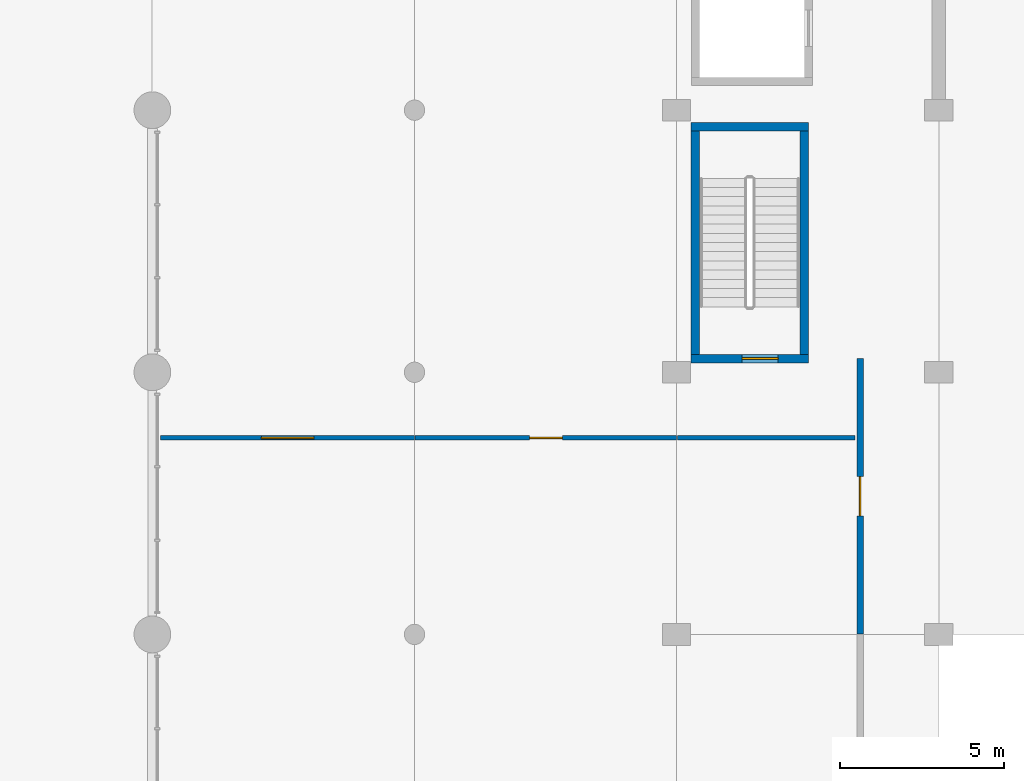
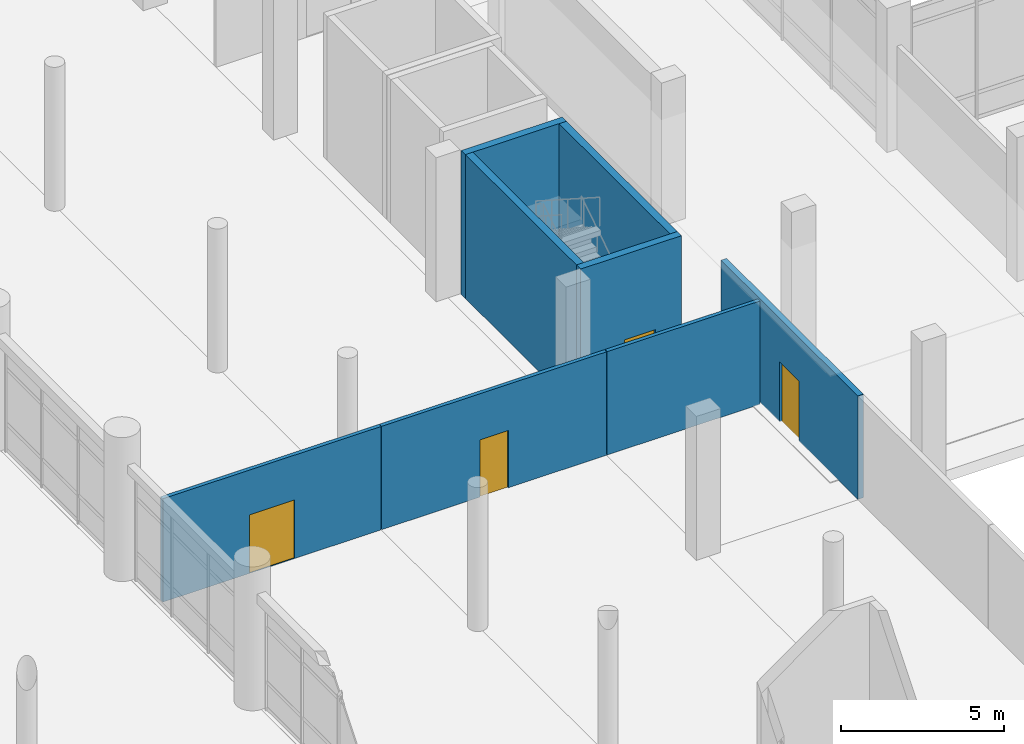
# One storey, part 24 of 42: 8 walls, 4 doors, 4 openings.
"""IFC4 building model written with IfcOpenShell, lengths in metres."""

from ifc_helpers import new_model, si_unit, direction, frame, frame_2d, origin, place, context, subcontext, project, spatial, rectangle, extrude, material, layer, layer_set, type_object, element, fill, save


model = new_model("IFC4")

# Units and contexts
model_context = context("Model", 3, precision=1e-05, world=origin(), true_north=direction((0.0, 1.0)))
body_context = subcontext(model_context, "Body", "Model", "MODEL_VIEW")
ifc_project = project(units=[si_unit("LENGTHUNIT", "METRE"), si_unit("AREAUNIT", "SQUARE_METRE"), si_unit("VOLUMEUNIT", "CUBIC_METRE"), si_unit("PLANEANGLEUNIT", "RADIAN"), si_unit("MASSUNIT", "GRAM", prefix="KILO")], contexts=[model_context])

# Site, building, storey
site_placement = place(None, origin())
site = spatial("IfcSite", under=ifc_project, at=site_placement, CompositionType="ELEMENT")
building_placement = place(site_placement, origin())
building = spatial("IfcBuilding", under=site, at=building_placement, Name="Pecanmere Concourse Central Library", CompositionType="ELEMENT")
storey_placement = place(building_placement, origin())
storey = spatial("IfcBuildingStorey", under=building, at=storey_placement, Name="L01", CompositionType="ELEMENT", Elevation=0.0)

# Wall, opening, door
ifc_material_1 = material(Name="Fire-rated gypsum board on acoustic steel stud", Category="steel")
ifc_layer_1 = layer(ifc_material_1, 0.135009765625, Name="IW_PART_135")
ifc_layer_set_1 = layer_set([ifc_layer_1], Name="Fire-rated gypsum board on acoustic steel stud")
wall_type_1 = type_object("IfcWallType", Name="IW_PART_135", PredefinedType="PARTITIONING", material=ifc_layer_set_1)
wall_1_placement = place(storey_placement, frame((96.25, 54.0, 0.0), z_axis=(0.0, 0.0, 1.0), x_axis=(1.0, 0.0, 0.0)))
wall_1 = element("IfcWall", 1, at=wall_1_placement, inside=storey, type_object=wall_type_1, Name="Interior Partition L01-0109", PredefinedType="PARTITIONING", context=body_context, shape_type="SweptSolid", body=[
    extrude(rectangle(XDim=7.75, YDim=0.135009765625, at=frame_2d((3.875, 0.0))), origin(), (0.0, 0.0, 1.0), 3.8798828125),
])
opening_1_placement = place(wall_1_placement, frame((3.074951171875, 0.0, 0.0)))
opening_1 = element("IfcOpeningElement", 2, at=opening_1_placement, cuts=wall_1, Name="Opening DT-02", PredefinedType="OPENING", context=body_context, shape_type="SweptSolid", body=[
    extrude(rectangle(XDim=1.60009765625, YDim=2.199951171875, at=frame_2d((0.800048828125, 1.10009765625))), frame((0.0, 0.07958984375, 0.0), z_axis=(0.0, -1.0, 0.0), x_axis=(1.0, 0.0, 0.0)), (0.0, 0.0, 1.0), 0.158935546875),
])
ifc_material_2 = material(Name="Solid white oak architectural joinery")
door_type_1 = type_object("IfcDoorType", Name="DT-02", OperationType="DOUBLE_DOOR_SINGLE_SWING", PredefinedType="DOOR", material=ifc_material_2)
door_1_placement = place(opening_1_placement, origin())
door_1 = element("IfcDoor", 3, at=door_1_placement, inside=storey, type_object=door_type_1, Name="D-174", OperationType="DOUBLE_DOOR_SINGLE_SWING", OverallHeight=2.199951171875, OverallWidth=1.60009765625, PredefinedType="DOOR", context=body_context, shape_type="SweptSolid", body=[
    extrude(rectangle(XDim=1.60009765625, YDim=2.199951171875, at=frame_2d((0.800048828125, 1.10009765625))), frame((0.0, 0.02490234375, 0.0), z_axis=(0.0, -1.0, 0.0), x_axis=(1.0, 0.0, 0.0)), (0.0, 0.0, 1.0), 0.050048828125),
])
fill(opening_1, door_1)

wall_2_placement = place(storey_placement, frame((104.02001953125, 54.0, 0.0), z_axis=(0.0, 0.0, 1.0), x_axis=(1.0, 0.0, 0.0)))
wall_2 = element("IfcWall", 4, at=wall_2_placement, inside=storey, type_object=wall_type_1, Name="Interior Partition L01-0110", PredefinedType="PARTITIONING", context=body_context, shape_type="SweptSolid", body=[
    extrude(rectangle(XDim=7.97998046875, YDim=0.135009765625, at=frame_2d((3.989990234375, 0.0))), origin(), (0.0, 0.0, 1.0), 3.8798828125),
])
opening_2_placement = place(wall_2_placement, frame((3.489990234375, 0.0, 0.0)))
opening_2 = element("IfcOpeningElement", 5, at=opening_2_placement, cuts=wall_2, Name="Opening DT-04", PredefinedType="OPENING", context=body_context, shape_type="SweptSolid", body=[
    extrude(rectangle(XDim=1.0, YDim=2.14990234375, at=frame_2d((0.5, 1.074951171875))), frame((0.0, 0.07958984375, 0.0), z_axis=(0.0, -1.0, 0.0), x_axis=(1.0, 0.0, 0.0)), (0.0, 0.0, 1.0), 0.158935546875),
])
ifc_material_3 = material(Name="Solid white oak architectural joinery")
door_type_2 = type_object("IfcDoorType", Name="DT-04", OperationType="SINGLE_SWING_RIGHT", PredefinedType="DOOR", material=ifc_material_3)
door_2_placement = place(opening_2_placement, frame((1.0, 0.0, 0.0), z_axis=(0.0, 0.0, 1.0), x_axis=(-1.0, 0.0, 0.0)))
door_2 = element("IfcDoor", 6, at=door_2_placement, inside=storey, type_object=door_type_2, Name="D-175", OperationType="SINGLE_SWING_RIGHT", OverallHeight=2.14990234375, OverallWidth=1.0, PredefinedType="DOOR", context=body_context, shape_type="SweptSolid", body=[
    extrude(rectangle(XDim=1.0, YDim=2.14990234375, at=frame_2d((0.5, 1.074951171875))), frame((0.0, 0.02490234375, 0.0), z_axis=(0.0, -1.0, 0.0), x_axis=(1.0, 0.0, 0.0)), (0.0, 0.0, 1.0), 0.050048828125),
])
fill(opening_2, door_2)

# Wall
wall_3_placement = place(storey_placement, frame((112.02001953125, 54.0, 0.0), z_axis=(0.0, 0.0, 1.0), x_axis=(1.0, 0.0, 0.0)))
element("IfcWall", 7, at=wall_3_placement, inside=storey, type_object=wall_type_1, Name="Interior Partition L01-0111", PredefinedType="PARTITIONING", context=body_context, shape_type="SweptSolid", body=[
    extrude(rectangle(XDim=5.429931640625, YDim=0.135009765625, at=frame_2d((2.71484375, 0.0))), origin(), (0.0, 0.0, 1.0), 3.8798828125),
])

# Wall, opening, door
ifc_material_4 = material(Name="Fire-rated gypsum board on acoustic steel stud", Category="steel")
ifc_layer_2 = layer(ifc_material_4, 0.199951171875, Name="IW_PART_200")
ifc_layer_set_2 = layer_set([ifc_layer_2], Name="Fire-rated gypsum board on acoustic steel stud")
wall_type_2 = type_object("IfcWallType", Name="IW_PART_200", PredefinedType="PARTITIONING", material=ifc_layer_set_2)
wall_4_placement = place(storey_placement, frame((117.60009765625, 48.02001953125, 0.0), z_axis=(0.0, 0.0, 1.0), x_axis=(0.0, 1.0, 0.0)))
wall_4 = element("IfcWall", 8, at=wall_4_placement, inside=storey, type_object=wall_type_2, Name="Interior Partition L01-0069", PredefinedType="PARTITIONING", context=body_context, shape_type="SweptSolid", body=[
    extrude(rectangle(XDim=8.39990234375, YDim=0.199951171875, at=frame_2d((4.199951171875, 0.0))), origin(), (0.0, 0.0, 1.0), 3.8798828125),
])
opening_3_placement = place(wall_4_placement, frame((3.60009765625, 0.0, 0.0)))
opening_3 = element("IfcOpeningElement", 9, at=opening_3_placement, cuts=wall_4, Name="Opening FD-04", PredefinedType="OPENING", context=body_context, shape_type="SweptSolid", body=[
    extrude(rectangle(XDim=1.199951171875, YDim=2.25, at=frame_2d((0.60009765625, 1.125))), frame((0.0, 0.11181640625, 0.0), z_axis=(0.0, -1.0, 0.0), x_axis=(1.0, 0.0, 0.0)), (0.0, 0.0, 1.0), 0.223876953125),
])
ifc_material_5 = material(Name="Painted architectural steel ASTM A36", Category="steel")
door_type_3 = type_object("IfcDoorType", Name="FD-04", OperationType="SINGLE_SWING_LEFT", PredefinedType="DOOR", material=ifc_material_5)
door_3_placement = place(opening_3_placement, origin())
door_3 = element("IfcDoor", 10, at=door_3_placement, inside=storey, type_object=door_type_3, Name="D-152", OperationType="SINGLE_SWING_LEFT", OverallHeight=2.25, OverallWidth=1.199951171875, PredefinedType="DOOR", context=body_context, shape_type="SweptSolid", body=[
    extrude(rectangle(XDim=1.199951171875, YDim=2.25, at=frame_2d((0.60009765625, 1.125))), frame((0.0, 0.02490234375, 0.0), z_axis=(0.0, -1.0, 0.0), x_axis=(1.0, 0.0, 0.0)), (0.0, 0.0, 1.0), 0.050048828125),
])
fill(opening_3, door_3)

ifc_material_6 = material(Name="Concrete C40/50", Category="concrete")
ifc_layer_3 = layer(ifc_material_6, 0.260009765625, Name="WALL_SLD_260")
ifc_layer_set_3 = layer_set([ifc_layer_3], Name="Concrete C40/50")
wall_type_3 = type_object("IfcWallType", Name="WALL_SLD_260", PredefinedType="SOLIDWALL", material=ifc_layer_set_3)
wall_5_placement = place(storey_placement, frame((112.43994140625, 56.419921875, 0.0), z_axis=(0.0, 0.0, 1.0), x_axis=(1.0, 0.0, 0.0)))
wall_5 = element("IfcWall", 11, at=wall_5_placement, inside=storey, type_object=wall_type_3, Name="Core C5 South Wall L01", PredefinedType="SOLIDWALL", context=body_context, shape_type="SweptSolid", body=[
    extrude(rectangle(XDim=3.580078125, YDim=0.260009765625, at=frame_2d((1.7900390625, 0.0))), origin(), (0.0, 0.0, 1.0), 5.39990234375),
])
opening_4_placement = place(wall_5_placement, frame((1.56005859375, 0.0, 0.0)))
opening_4 = element("IfcOpeningElement", 12, at=opening_4_placement, cuts=wall_5, Name="Opening FD-01", PredefinedType="OPENING", context=body_context, shape_type="SweptSolid", body=[
    extrude(rectangle(XDim=1.10009765625, YDim=2.199951171875, at=frame_2d((0.550048828125, 1.10009765625))), frame((0.0, 0.14208984375, 0.0), z_axis=(0.0, -1.0, 0.0), x_axis=(1.0, 0.0, 0.0)), (0.0, 0.0, 1.0), 0.283935546875),
])
ifc_material_7 = material(Name="Painted architectural steel ASTM A36", Category="steel")
door_type_4 = type_object("IfcDoorType", Name="FD-01", OperationType="SINGLE_SWING_LEFT", PredefinedType="DOOR", material=ifc_material_7)
door_4_placement = place(opening_4_placement, frame((1.10009765625, 0.0, 0.0), z_axis=(0.0, 0.0, 1.0), x_axis=(-1.0, 0.0, 0.0)))
door_4 = element("IfcDoor", 13, at=door_4_placement, inside=storey, type_object=door_type_4, Name="D-034", OperationType="SINGLE_SWING_LEFT", OverallHeight=2.199951171875, OverallWidth=1.10009765625, PredefinedType="DOOR", context=body_context, shape_type="SweptSolid", body=[
    extrude(rectangle(XDim=1.10009765625, YDim=2.199951171875, at=frame_2d((0.550048828125, 1.10009765625))), frame((0.0, 0.02490234375, 0.0), z_axis=(0.0, -1.0, 0.0), x_axis=(1.0, 0.0, 0.0)), (0.0, 0.0, 1.0), 0.050048828125),
])
fill(opening_4, door_4)

# Walls
wall_6_placement = place(storey_placement, frame((112.43994140625, 63.5, 0.0), z_axis=(0.0, 0.0, 1.0), x_axis=(1.0, 0.0, 0.0)))
element("IfcWall", 14, at=wall_6_placement, inside=storey, type_object=wall_type_3, Name="Core C5 North Wall L01", PredefinedType="SOLIDWALL", context=body_context, shape_type="SweptSolid", body=[
    extrude(rectangle(XDim=3.580078125, YDim=0.260009765625, at=frame_2d((1.7900390625, 0.0))), origin(), (0.0, 0.0, 1.0), 5.39990234375),
])
for number, where, z_axis, x_axis, name in (
    (15, (112.570068359375, 56.550048828125, 0.0), (0.0, 0.0, 1.0), (0.0, 1.0, 0.0), "Core C5 W Wall L01"),
    (16, (115.889892578125, 56.550048828125, 0.0), (0.0, 0.0, 1.0), (0.0, 1.0, 0.0), "Core C5 E Wall L01"),
):
    element("IfcWall", number, at=place(storey_placement, frame(where, z_axis=z_axis, x_axis=x_axis)), inside=storey, type_object=wall_type_3, Name=name, PredefinedType="SOLIDWALL", context=body_context, shape_type="SweptSolid", body=[
        extrude(rectangle(XDim=6.820068359375, YDim=0.260009765625, at=frame_2d((3.41015625, 0.0))), origin(), (0.0, 0.0, 1.0), 5.39990234375),
    ])

save(model, "model.ifc")
